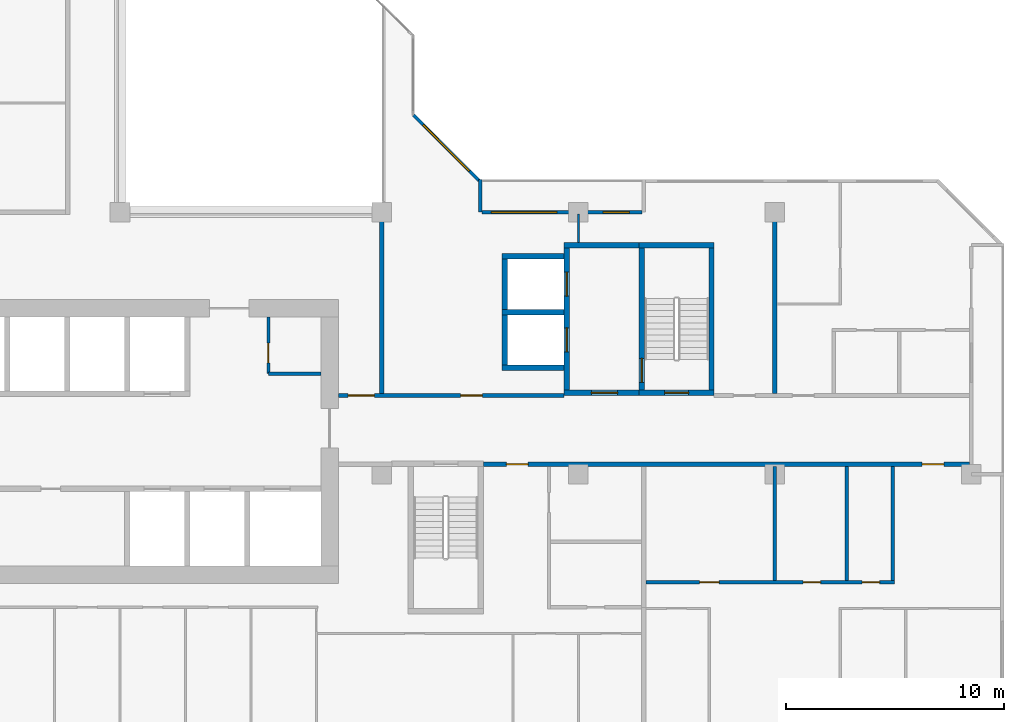
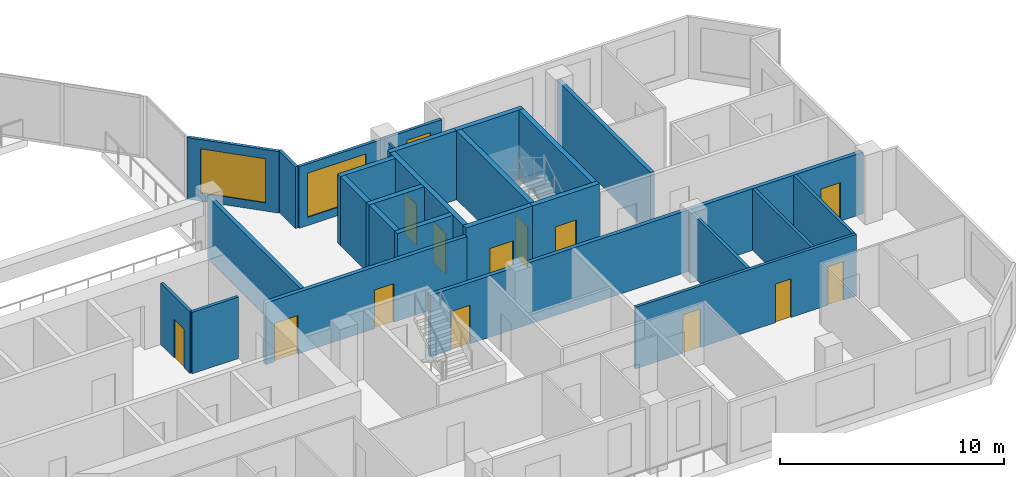
# One storey, part 7 of 14: 26 walls, 13 doors, 3 windows, 16 openings.
"""IFC4 building model written with IfcOpenShell, lengths in metres."""

from ifc_helpers import new_model, si_unit, direction, frame, frame_2d, origin, place, context, subcontext, project, spatial, rectangle, extrude, material, layer, layer_set, type_object, element, fill, save


model = new_model("IFC4")

# Units and contexts
model_context = context("Model", 3, precision=1e-05, world=origin(), true_north=direction((0.0, 1.0)))
body_context = subcontext(model_context, "Body", "Model", "MODEL_VIEW")
ifc_project = project(units=[si_unit("LENGTHUNIT", "METRE"), si_unit("AREAUNIT", "SQUARE_METRE"), si_unit("VOLUMEUNIT", "CUBIC_METRE"), si_unit("PLANEANGLEUNIT", "RADIAN"), si_unit("MASSUNIT", "GRAM", prefix="KILO")], contexts=[model_context])

# Site, building, storey
site_placement = place(None, origin())
site = spatial("IfcSite", under=ifc_project, at=site_placement, CompositionType="ELEMENT")
building_placement = place(site_placement, origin())
building = spatial("IfcBuilding", under=site, at=building_placement, Name="Chenar Terraces", CompositionType="ELEMENT")
storey_placement = place(building_placement, frame((0.0, 0.0, 183.64990234375)))
storey = spatial("IfcBuildingStorey", under=building, at=storey_placement, Name="L42", CompositionType="ELEMENT", Elevation=183.64990234375)

# Wall, opening, door
ifc_material_1 = material(Name="Gypsum board on steel studs", Category="steel")
ifc_layer_1 = layer(ifc_material_1, 0.14990234375)
ifc_layer_set_1 = layer_set([ifc_layer_1], Name="Gypsum board on steel studs")
wall_type_1 = type_object("IfcWallType", Name="Core partition 150 gypsum board", PredefinedType="PARTITIONING", material=ifc_layer_set_1)
wall_1_placement = place(storey_placement, frame((30.800048828125, 16.60009765625, 0.0), z_axis=(0.0, 0.0, 1.0), x_axis=(0.0, 1.0, 0.0)))
wall_1 = element("IfcWall", 1, at=wall_1_placement, inside=storey, type_object=wall_type_1, Name="Core partition CP1 vestibule room west wall", PredefinedType="PARTITIONING", context=body_context, shape_type="SweptSolid", body=[
    extrude(rectangle(XDim=2.599853515625, YDim=0.14990234375, at=frame_2d((1.2998046875, 0.0))), origin(), (0.0, 0.0, 1.0), 3.35009765625),
])
opening_1_placement = place(wall_1_placement, frame((0.5, 0.0, 0.0)))
opening_1 = element("IfcOpeningElement", 2, at=opening_1_placement, cuts=wall_1, Name="Opening DL42-C14", PredefinedType="OPENING", context=body_context, shape_type="SweptSolid", body=[
    extrude(rectangle(XDim=0.89990234375, YDim=2.10009765625, at=frame_2d((0.449951171875, 1.050048828125))), frame((0.0, 0.0849609375, 0.0), z_axis=(0.0, -1.0, 0.0), x_axis=(1.0, 0.0, 0.0)), (0.0, 0.0, 1.0), 0.169921875),
])
ifc_material_2 = material(Name="Steel-framed fire-resisting door leaf", Category="steel")
door_type_1 = type_object("IfcDoorType", Name="Riser fire door FD60 900 x 2100", OperationType="SINGLE_SWING_LEFT", PredefinedType="DOOR", material=ifc_material_2)
door_1_placement = place(opening_1_placement, frame((0.89990234375, 0.0, 0.0), z_axis=(0.0, 0.0, 1.0), x_axis=(-1.0, 0.0, 0.0)))
door_1 = element("IfcDoor", 3, at=door_1_placement, inside=storey, type_object=door_type_1, Name="Core room door DL42-C14", OperationType="SINGLE_SWING_RIGHT", OverallHeight=2.10009765625, OverallWidth=0.89990234375, PredefinedType="DOOR", context=body_context, shape_type="SweptSolid", body=[
    extrude(rectangle(XDim=0.89990234375, YDim=2.10009765625, at=frame_2d((0.449951171875, 1.050048828125))), frame((0.0, 0.02490234375, 0.0), z_axis=(0.0, -1.0, 0.0), x_axis=(1.0, 0.0, 0.0)), (0.0, 0.0, 1.0), 0.050048828125),
])
fill(opening_1, door_1)

# Wall
wall_2_placement = place(storey_placement, frame((30.800048828125, 16.60009765625, 0.0), z_axis=(0.0, 0.0, 1.0), x_axis=(1.0, 0.0, 0.0)))
element("IfcWall", 4, at=wall_2_placement, inside=storey, type_object=wall_type_1, Name="Core partition CP1 vestibule room south wall", PredefinedType="PARTITIONING", context=body_context, shape_type="SweptSolid", body=[
    extrude(rectangle(XDim=2.39990234375, YDim=0.14990234375, at=frame_2d((1.199951171875, 0.0))), origin(), (0.0, 0.0, 1.0), 3.35009765625),
])

# Wall, opening, door
ifc_material_3 = material(Name="Concrete C60/75", Category="concrete")
ifc_layer_2 = layer(ifc_material_3, 0.25)
ifc_layer_set_2 = layer_set([ifc_layer_2], Name="Concrete C60/75")
wall_type_2 = type_object("IfcWallType", Name="Core wall 250 Concrete C60/75", PredefinedType="SHEAR", material=ifc_layer_set_2)
wall_3_placement = place(storey_placement, frame((47.77490234375, 15.72509765625, 0.0), z_axis=(0.0, 0.0, 1.0), x_axis=(1.0, 0.0, 0.0)))
wall_3 = element("IfcWall", 5, at=wall_3_placement, inside=storey, type_object=wall_type_2, Name="Core wall ST3_S L42", PredefinedType="SHEAR", context=body_context, shape_type="SweptSolid", body=[
    extrude(rectangle(XDim=3.4501953125, YDim=0.25, at=frame_2d((1.72509765625, 0.0))), origin(), (0.0, 0.0, 1.0), 3.75),
])
opening_2_placement = place(wall_3_placement, frame((1.175048828125, 0.0, 0.0)))
opening_2 = element("IfcOpeningElement", 6, at=opening_2_placement, cuts=wall_3, Name="Opening DL42-C8", PredefinedType="OPENING", context=body_context, shape_type="SweptSolid", body=[
    extrude(rectangle(XDim=1.10009765625, YDim=2.199951171875, at=frame_2d((0.550048828125, 1.10009765625))), frame((0.0, 0.135009765625, 0.0), z_axis=(0.0, -1.0, 0.0), x_axis=(1.0, 0.0, 0.0)), (0.0, 0.0, 1.0), 0.27001953125),
])
ifc_material_4 = material(Name="Steel-framed fire-resisting door leaf", Category="steel")
door_type_2 = type_object("IfcDoorType", Name="Stair fire door FD60 1100 x 2200", OperationType="SINGLE_SWING_LEFT", PredefinedType="DOOR", material=ifc_material_4)
door_2_placement = place(opening_2_placement, frame((1.10009765625, 0.0, 0.0), z_axis=(0.0, 0.0, 1.0), x_axis=(-1.0, 0.0, 0.0)))
door_2 = element("IfcDoor", 7, at=door_2_placement, inside=storey, type_object=door_type_2, Name="Stair door DL42-C8", OperationType="SINGLE_SWING_LEFT", OverallHeight=2.199951171875, OverallWidth=1.10009765625, PredefinedType="DOOR", context=body_context, shape_type="SweptSolid", body=[
    extrude(rectangle(XDim=1.10009765625, YDim=2.199951171875, at=frame_2d((0.550048828125, 1.10009765625))), frame((0.0, 0.02490234375, 0.0), z_axis=(0.0, -1.0, 0.0), x_axis=(1.0, 0.0, 0.0)), (0.0, 0.0, 1.0), 0.050048828125),
])
fill(opening_2, door_2)

# Wall
wall_4_placement = place(storey_placement, frame((47.77490234375, 22.47509765625, 0.0), z_axis=(0.0, 0.0, 1.0), x_axis=(1.0, 0.0, 0.0)))
element("IfcWall", 8, at=wall_4_placement, inside=storey, type_object=wall_type_2, Name="Core wall ST3_N L42", PredefinedType="SHEAR", context=body_context, shape_type="SweptSolid", body=[
    extrude(rectangle(XDim=3.4501953125, YDim=0.25, at=frame_2d((1.72509765625, 0.0))), origin(), (0.0, 0.0, 1.0), 3.75),
])

# Wall, opening, door
wall_5_placement = place(storey_placement, frame((47.89990234375, 15.85009765625, 0.0), z_axis=(0.0, 0.0, 1.0), x_axis=(0.0, 1.0, 0.0)))
wall_5 = element("IfcWall", 9, at=wall_5_placement, inside=storey, type_object=wall_type_2, Name="Core wall ST3_W L42", PredefinedType="SHEAR", context=body_context, shape_type="SweptSolid", body=[
    extrude(rectangle(XDim=6.5, YDim=0.25, at=frame_2d((3.25, 0.0))), origin(), (0.0, 0.0, 1.0), 3.75),
])
opening_3_placement = place(wall_5_placement, frame((0.35009765625, 0.0, 0.0)))
opening_3 = element("IfcOpeningElement", 10, at=opening_3_placement, cuts=wall_5, Name="Opening DL42-C11", PredefinedType="OPENING", context=body_context, shape_type="SweptSolid", body=[
    extrude(rectangle(XDim=1.10009765625, YDim=2.199951171875, at=frame_2d((0.550048828125, 1.10009765625))), frame((0.0, 0.135009765625, 0.0), z_axis=(0.0, -1.0, 0.0), x_axis=(1.0, 0.0, 0.0)), (0.0, 0.0, 1.0), 0.27001953125),
])
door_3_placement = place(opening_3_placement, frame((1.10009765625, 0.0, 0.0), z_axis=(0.0, 0.0, 1.0), x_axis=(-1.0, 0.0, 0.0)))
door_3 = element("IfcDoor", 11, at=door_3_placement, inside=storey, type_object=door_type_2, Name="Stair door DL42-C11", OperationType="SINGLE_SWING_RIGHT", OverallHeight=2.199951171875, OverallWidth=1.10009765625, PredefinedType="DOOR", context=body_context, shape_type="SweptSolid", body=[
    extrude(rectangle(XDim=1.10009765625, YDim=2.199951171875, at=frame_2d((0.550048828125, 1.10009765625))), frame((0.0, 0.02490234375, 0.0), z_axis=(0.0, -1.0, 0.0), x_axis=(1.0, 0.0, 0.0)), (0.0, 0.0, 1.0), 0.050048828125),
])
fill(opening_3, door_3)

# Wall
wall_6_placement = place(storey_placement, frame((51.10009765625, 15.85009765625, 0.0), z_axis=(0.0, 0.0, 1.0), x_axis=(0.0, 1.0, 0.0)))
element("IfcWall", 12, at=wall_6_placement, inside=storey, type_object=wall_type_2, Name="Core wall ST3_E L42", PredefinedType="SHEAR", context=body_context, shape_type="SweptSolid", body=[
    extrude(rectangle(XDim=6.5, YDim=0.25, at=frame_2d((3.25, 0.0))), origin(), (0.0, 0.0, 1.0), 3.75),
])

# Wall, opening, door
wall_7_placement = place(storey_placement, frame((44.35009765625, 15.72509765625, 0.0), z_axis=(0.0, 0.0, 1.0), x_axis=(1.0, 0.0, 0.0)))
wall_7 = element("IfcWall", 13, at=wall_7_placement, inside=storey, type_object=wall_type_2, Name="Core wall F3_LS L42", PredefinedType="SHEAR", context=body_context, shape_type="SweptSolid", body=[
    extrude(rectangle(XDim=3.4248046875, YDim=0.25, at=frame_2d((1.71240234375, 0.0))), origin(), (0.0, 0.0, 1.0), 3.75),
])
opening_4_placement = place(wall_7_placement, frame((1.25, 0.0, 0.0)))
opening_4 = element("IfcOpeningElement", 14, at=opening_4_placement, cuts=wall_7, Name="Opening DL42-C10", PredefinedType="OPENING", context=body_context, shape_type="SweptSolid", body=[
    extrude(rectangle(XDim=1.199951171875, YDim=2.199951171875, at=frame_2d((0.60009765625, 1.10009765625))), frame((0.0, 0.135009765625, 0.0), z_axis=(0.0, -1.0, 0.0), x_axis=(1.0, 0.0, 0.0)), (0.0, 0.0, 1.0), 0.27001953125),
])
ifc_material_5 = material(Name="Steel-framed fire-resisting door leaf", Category="steel")
door_type_3 = type_object("IfcDoorType", Name="Lobby fire door FD60 1200 x 2200", OperationType="SINGLE_SWING_LEFT", PredefinedType="DOOR", material=ifc_material_5)
door_4_placement = place(opening_4_placement, origin())
door_4 = element("IfcDoor", 15, at=door_4_placement, inside=storey, type_object=door_type_3, Name="Core door DL42-C10", OperationType="SINGLE_SWING_RIGHT", OverallHeight=2.199951171875, OverallWidth=1.199951171875, PredefinedType="DOOR", context=body_context, shape_type="SweptSolid", body=[
    extrude(rectangle(XDim=1.199951171875, YDim=2.199951171875, at=frame_2d((0.60009765625, 1.10009765625))), frame((0.0, 0.02490234375, 0.0), z_axis=(0.0, -1.0, 0.0), x_axis=(1.0, 0.0, 0.0)), (0.0, 0.0, 1.0), 0.050048828125),
])
fill(opening_4, door_4)

# Wall
wall_8_placement = place(storey_placement, frame((44.35009765625, 22.47509765625, 0.0), z_axis=(0.0, 0.0, 1.0), x_axis=(1.0, 0.0, 0.0)))
element("IfcWall", 16, at=wall_8_placement, inside=storey, type_object=wall_type_2, Name="Core wall F3_LN L42", PredefinedType="SHEAR", context=body_context, shape_type="SweptSolid", body=[
    extrude(rectangle(XDim=3.4248046875, YDim=0.25, at=frame_2d((1.71240234375, 0.0))), origin(), (0.0, 0.0, 1.0), 3.75),
])

# Wall, openings, doors
wall_9_placement = place(storey_placement, frame((44.47509765625, 15.85009765625, 0.0), z_axis=(0.0, 0.0, 1.0), x_axis=(0.0, 1.0, 0.0)))
wall_9 = element("IfcWall", 17, at=wall_9_placement, inside=storey, type_object=wall_type_2, Name="Core wall F3_LW L42", PredefinedType="SHEAR", context=body_context, shape_type="SweptSolid", body=[
    extrude(rectangle(XDim=6.5, YDim=0.25, at=frame_2d((3.25, 0.0))), origin(), (0.0, 0.0, 1.0), 3.75),
])
opening_5_placement = place(wall_9_placement, frame((1.75, 0.0, 0.0)))
opening_5 = element("IfcOpeningElement", 18, at=opening_5_placement, cuts=wall_9, Name="Opening DL42-LD8", PredefinedType="OPENING", context=body_context, shape_type="SweptSolid", body=[
    extrude(rectangle(XDim=1.10009765625, YDim=2.199951171875, at=frame_2d((0.550048828125, 1.10009765625))), frame((0.0, 0.135009765625, 0.0), z_axis=(0.0, -1.0, 0.0), x_axis=(1.0, 0.0, 0.0)), (0.0, 0.0, 1.0), 0.27001953125),
])
opening_6_placement = place(wall_9_placement, frame((4.300048828125, 0.0, 0.0)))
opening_6 = element("IfcOpeningElement", 19, at=opening_6_placement, cuts=wall_9, Name="Opening DL42-LD9", PredefinedType="OPENING", context=body_context, shape_type="SweptSolid", body=[
    extrude(rectangle(XDim=1.10009765625, YDim=2.199951171875, at=frame_2d((0.550048828125, 1.10009765625))), frame((0.0, 0.135009765625, 0.0), z_axis=(0.0, -1.0, 0.0), x_axis=(1.0, 0.0, 0.0)), (0.0, 0.0, 1.0), 0.27001953125),
])
ifc_material_6 = material(Name="Stainless steel", Category="steel")
door_type_4 = type_object("IfcDoorType", Name="Lift landing door 1100 x 2200 sliding", OperationType="DOUBLE_DOOR_SLIDING", PredefinedType="DOOR", material=ifc_material_6)
door_5_placement = place(opening_5_placement, origin())
door_5 = element("IfcDoor", 20, at=door_5_placement, inside=storey, type_object=door_type_4, Name="Landing door F3", OperationType="DOUBLE_DOOR_SLIDING", OverallHeight=2.199951171875, OverallWidth=1.10009765625, PredefinedType="DOOR", context=body_context, shape_type="SweptSolid", body=[
    extrude(rectangle(XDim=1.10009765625, YDim=2.199951171875, at=frame_2d((0.550048828125, 1.10009765625))), frame((0.0, 0.02490234375, 0.0), z_axis=(0.0, -1.0, 0.0), x_axis=(1.0, 0.0, 0.0)), (0.0, 0.0, 1.0), 0.050048828125),
])
fill(opening_5, door_5)
door_6_placement = place(opening_6_placement, origin())
door_6 = element("IfcDoor", 21, at=door_6_placement, inside=storey, type_object=door_type_4, Name="Landing door F4", OperationType="DOUBLE_DOOR_SLIDING", OverallHeight=2.199951171875, OverallWidth=1.10009765625, PredefinedType="DOOR", context=body_context, shape_type="SweptSolid", body=[
    extrude(rectangle(XDim=1.10009765625, YDim=2.199951171875, at=frame_2d((0.550048828125, 1.10009765625))), frame((0.0, 0.02490234375, 0.0), z_axis=(0.0, -1.0, 0.0), x_axis=(1.0, 0.0, 0.0)), (0.0, 0.0, 1.0), 0.050048828125),
])
fill(opening_6, door_6)

# Walls
for number, where, z_axis, x_axis, name in (
    (22, (41.5, 16.875, 0.0), (0.0, 0.0, 1.0), (1.0, 0.0, 0.0), "Core wall F3_SS L42"),
    (23, (41.5, 19.425048828125, 0.0), (0.0, 0.0, 1.0), (1.0, 0.0, 0.0), "Core wall F3_SM L42"),
    (24, (41.5, 21.97509765625, 0.0), (0.0, 0.0, 1.0), (1.0, 0.0, 0.0), "Core wall F4_SN L42"),
):
    element("IfcWall", number, at=place(storey_placement, frame(where, z_axis=z_axis, x_axis=x_axis)), inside=storey, type_object=wall_type_2, Name=name, PredefinedType="SHEAR", context=body_context, shape_type="SweptSolid", body=[
        extrude(rectangle(XDim=2.85009765625, YDim=0.25, at=frame_2d((1.425048828125, 0.0))), origin(), (0.0, 0.0, 1.0), 3.75),
    ])
for number, where, z_axis, x_axis, name in (
    (25, (41.625, 17.0, 0.0), (0.0, 0.0, 1.0), (0.0, 1.0, 0.0), "Core wall F3_SW L42"),
    (26, (41.625, 19.550048828125, 0.0), (0.0, 0.0, 1.0), (0.0, 1.0, 0.0), "Core wall F4_SW L42"),
):
    element("IfcWall", number, at=place(storey_placement, frame(where, z_axis=z_axis, x_axis=x_axis)), inside=storey, type_object=wall_type_2, Name=name, PredefinedType="SHEAR", context=body_context, shape_type="SweptSolid", body=[
        extrude(rectangle(XDim=2.300048828125, YDim=0.25, at=frame_2d((1.14990234375, 0.0))), origin(), (0.0, 0.0, 1.0), 3.75),
    ])

# Wall, openings, doors
ifc_material_7 = material(Name="Gypsum board on steel studs with fire boards", Category="steel")
ifc_layer_3 = layer(ifc_material_7, 0.199951171875)
ifc_layer_set_3 = layer_set([ifc_layer_3], Name="Gypsum board on steel studs with fire boards")
wall_type_3 = type_object("IfcWallType", Name="Corridor wall 200", PredefinedType="PARTITIONING", material=ifc_layer_set_3)
wall_10_placement = place(storey_placement, frame((34.0, 15.60009765625, 0.0), z_axis=(0.0, 0.0, 1.0), x_axis=(1.0, 0.0, 0.0)))
wall_10 = element("IfcWall", 27, at=wall_10_placement, inside=storey, type_object=wall_type_3, Name="Partition L42-060", PredefinedType="PARTITIONING", context=body_context, shape_type="SweptSolid", body=[
    extrude(rectangle(XDim=10.35009765625, YDim=0.199951171875, at=frame_2d((5.175048828125, 0.0))), origin(), (0.0, 0.0, 1.0), 3.35009765625),
])
opening_7_placement = place(wall_10_placement, frame((5.60009765625, 0.0, 0.0)))
opening_7 = element("IfcOpeningElement", 28, at=opening_7_placement, cuts=wall_10, Name="Opening DL42-3", PredefinedType="OPENING", context=body_context, shape_type="SweptSolid", body=[
    extrude(rectangle(XDim=1.0, YDim=2.10009765625, at=frame_2d((0.5, 1.050048828125))), frame((0.0, 0.10986328125, 0.0), z_axis=(0.0, -1.0, 0.0), x_axis=(1.0, 0.0, 0.0)), (0.0, 0.0, 1.0), 0.219970703125),
])
opening_8_placement = place(wall_10_placement, frame((0.449951171875, 0.0, 0.0)))
opening_8 = element("IfcOpeningElement", 29, at=opening_8_placement, cuts=wall_10, Name="Opening DL42-34", PredefinedType="OPENING", context=body_context, shape_type="SweptSolid", body=[
    extrude(rectangle(XDim=1.199951171875, YDim=2.10009765625, at=frame_2d((0.60009765625, 1.050048828125))), frame((0.0, 0.10986328125, 0.0), z_axis=(0.0, -1.0, 0.0), x_axis=(1.0, 0.0, 0.0)), (0.0, 0.0, 1.0), 0.219970703125),
])
ifc_material_8 = material(Name="Steel-framed fire-resisting door leaf", Category="steel")
door_type_5 = type_object("IfcDoorType", Name="Fire door FD60 1000 x 2100", OperationType="SINGLE_SWING_LEFT", PredefinedType="DOOR", material=ifc_material_8)
door_7_placement = place(opening_7_placement, origin())
door_7 = element("IfcDoor", 30, at=door_7_placement, inside=storey, type_object=door_type_5, Name="Door DL42-3", OperationType="SINGLE_SWING_RIGHT", OverallHeight=2.10009765625, OverallWidth=1.0, PredefinedType="DOOR", context=body_context, shape_type="SweptSolid", body=[
    extrude(rectangle(XDim=1.0, YDim=2.10009765625, at=frame_2d((0.5, 1.050048828125))), frame((0.0, 0.02490234375, 0.0), z_axis=(0.0, -1.0, 0.0), x_axis=(1.0, 0.0, 0.0)), (0.0, 0.0, 1.0), 0.050048828125),
])
fill(opening_7, door_7)
ifc_material_9 = material(Name="Steel-framed fire-resisting door leaf", Category="steel")
door_type_6 = type_object("IfcDoorType", Name="Fire door FD60 1200 x 2100", OperationType="SINGLE_SWING_LEFT", PredefinedType="DOOR", material=ifc_material_9)
door_8_placement = place(opening_8_placement, origin())
door_8 = element("IfcDoor", 31, at=door_8_placement, inside=storey, type_object=door_type_6, Name="Door DL42-34", OperationType="SINGLE_SWING_RIGHT", OverallHeight=2.10009765625, OverallWidth=1.199951171875, PredefinedType="DOOR", context=body_context, shape_type="SweptSolid", body=[
    extrude(rectangle(XDim=1.199951171875, YDim=2.10009765625, at=frame_2d((0.60009765625, 1.050048828125))), frame((0.0, 0.02490234375, 0.0), z_axis=(0.0, -1.0, 0.0), x_axis=(1.0, 0.0, 0.0)), (0.0, 0.0, 1.0), 0.050048828125),
])
fill(opening_8, door_8)

# Wall
wall_11_placement = place(storey_placement, frame((36.0, 15.699951171875, 0.0), z_axis=(0.0, 0.0, 1.0), x_axis=(0.0, 1.0, 0.0)))
element("IfcWall", 32, at=wall_11_placement, inside=storey, type_object=wall_type_3, Name="Partition L42-061", PredefinedType="PARTITIONING", context=body_context, shape_type="SweptSolid", body=[
    extrude(rectangle(XDim=8.300048828125, YDim=0.199951171875, at=frame_2d((4.14990234375, 0.0))), origin(), (0.0, 0.0, 1.0), 3.35009765625),
])

# Wall, openings, doors
wall_12_placement = place(storey_placement, frame((40.64990234375, 12.449951171875, 0.0), z_axis=(0.0, 0.0, 1.0), x_axis=(1.0, 0.0, 0.0)))
wall_12 = element("IfcWall", 33, at=wall_12_placement, inside=storey, type_object=wall_type_3, Name="Partition L42-062", PredefinedType="PARTITIONING", context=body_context, shape_type="SweptSolid", body=[
    extrude(rectangle(XDim=22.276123046875, YDim=0.199951171875, at=frame_2d((11.13818359375, 0.0))), origin(), (0.0, 0.0, 1.0), 3.35009765625),
])
opening_9_placement = place(wall_12_placement, frame((20.10009765625, 0.0, 0.0)))
opening_9 = element("IfcOpeningElement", 34, at=opening_9_placement, cuts=wall_12, Name="Opening DL42-12", PredefinedType="OPENING", context=body_context, shape_type="SweptSolid", body=[
    extrude(rectangle(XDim=1.0, YDim=2.10009765625, at=frame_2d((0.5, 1.050048828125))), frame((0.0, 0.10986328125, 0.0), z_axis=(0.0, -1.0, 0.0), x_axis=(1.0, 0.0, 0.0)), (0.0, 0.0, 1.0), 0.219970703125),
])
opening_10_placement = place(wall_12_placement, frame((1.050048828125, 0.0, 0.0)))
opening_10 = element("IfcOpeningElement", 35, at=opening_10_placement, cuts=wall_12, Name="Opening DL42-49", PredefinedType="OPENING", context=body_context, shape_type="SweptSolid", body=[
    extrude(rectangle(XDim=1.0, YDim=2.10009765625, at=frame_2d((0.5, 1.050048828125))), frame((0.0, 0.10986328125, 0.0), z_axis=(0.0, -1.0, 0.0), x_axis=(1.0, 0.0, 0.0)), (0.0, 0.0, 1.0), 0.219970703125),
])
ifc_material_10 = material(Name="Steel-framed fire-resisting door leaf", Category="steel")
door_type_7 = type_object("IfcDoorType", Name="Fire door FD30S 1000 x 2100", OperationType="SINGLE_SWING_LEFT", PredefinedType="DOOR", material=ifc_material_10)
door_9_placement = place(opening_9_placement, frame((1.0, 0.0, 0.0), z_axis=(0.0, 0.0, 1.0), x_axis=(-1.0, 0.0, 0.0)))
door_9 = element("IfcDoor", 36, at=door_9_placement, inside=storey, type_object=door_type_7, Name="Door DL42-12", OperationType="SINGLE_SWING_LEFT", OverallHeight=2.10009765625, OverallWidth=1.0, PredefinedType="DOOR", context=body_context, shape_type="SweptSolid", body=[
    extrude(rectangle(XDim=1.0, YDim=2.10009765625, at=frame_2d((0.5, 1.050048828125))), frame((0.0, 0.02490234375, 0.0), z_axis=(0.0, -1.0, 0.0), x_axis=(1.0, 0.0, 0.0)), (0.0, 0.0, 1.0), 0.050048828125),
])
fill(opening_9, door_9)
door_10_placement = place(opening_10_placement, origin())
door_10 = element("IfcDoor", 37, at=door_10_placement, inside=storey, type_object=door_type_7, Name="Door DL42-49", OperationType="SINGLE_SWING_LEFT", OverallHeight=2.10009765625, OverallWidth=1.0, PredefinedType="DOOR", context=body_context, shape_type="SweptSolid", body=[
    extrude(rectangle(XDim=1.0, YDim=2.10009765625, at=frame_2d((0.5, 1.050048828125))), frame((0.0, 0.02490234375, 0.0), z_axis=(0.0, -1.0, 0.0), x_axis=(1.0, 0.0, 0.0)), (0.0, 0.0, 1.0), 0.050048828125),
])
fill(opening_10, door_10)

# Wall, openings, windows
ifc_material_11 = material(Name="Aluminium framed glazing", Category="aluminium")
ifc_layer_4 = layer(ifc_material_11, 0.14990234375)
ifc_layer_set_4 = layer_set([ifc_layer_4], Name="Aluminium framed glazing")
wall_type_4 = type_object("IfcWallType", Name="Glazed loggia back wall 150", PredefinedType="SOLIDWALL", material=ifc_layer_set_4)
wall_13_placement = place(storey_placement, frame((47.925048828125, 24.0, 0.0), z_axis=(0.0, 0.0, 1.0), x_axis=(-1.0, 0.0, 0.0)))
wall_13 = element("IfcWall", 38, at=wall_13_placement, inside=storey, type_object=wall_type_4, Name="Glazed loggia back wall", PredefinedType="SOLIDWALL", context=body_context, shape_type="SweptSolid", body=[
    extrude(rectangle(XDim=7.35009765625, YDim=0.14990234375, at=frame_2d((3.675048828125, 0.0))), origin(), (0.0, 0.0, 1.0), 3.35009765625),
])
opening_11_placement = place(wall_13_placement, frame((0.58740234375, 0.0, 0.449951171875)))
opening_11 = element("IfcOpeningElement", 39, at=opening_11_placement, cuts=wall_13, Name="Opening W120x240", PredefinedType="OPENING", context=body_context, shape_type="SweptSolid", body=[
    extrude(rectangle(XDim=1.199951171875, YDim=2.39990234375, at=frame_2d((0.60009765625, 1.199951171875))), frame((0.0, 0.0849609375, 0.0), z_axis=(0.0, -1.0, 0.0), x_axis=(1.0, 0.0, 0.0)), (0.0, 0.0, 1.0), 0.169921875),
])
opening_12_placement = place(wall_13_placement, frame((3.91259765625, 0.0, 0.449951171875)))
opening_12 = element("IfcOpeningElement", 40, at=opening_12_placement, cuts=wall_13, Name="Opening W300x240", PredefinedType="OPENING", context=body_context, shape_type="SweptSolid", body=[
    extrude(rectangle(XDim=3.0, YDim=2.39990234375, at=frame_2d((1.5, 1.199951171875))), frame((0.0, 0.0849609375, 0.0), z_axis=(0.0, -1.0, 0.0), x_axis=(1.0, 0.0, 0.0)), (0.0, 0.0, 1.0), 0.169921875),
])
ifc_material_12 = material(Name="Low emissivity double glazing, aluminium frame", Category="aluminium")
window_type_1 = type_object("IfcWindowType", Name="Fixed light 1200 x 2400", PartitioningType="SINGLE_PANEL", PredefinedType="WINDOW", material=ifc_material_12)
window_1_placement = place(opening_11_placement, origin())
window_1 = element("IfcWindow", 41, at=window_1_placement, inside=storey, type_object=window_type_1, Name="Window", OverallHeight=2.39990234375, OverallWidth=1.199951171875, PartitioningType="SINGLE_PANEL", PredefinedType="WINDOW", context=body_context, shape_type="SweptSolid", body=[
    extrude(rectangle(XDim=1.199951171875, YDim=2.39990234375, at=frame_2d((0.60009765625, 1.199951171875))), frame((0.0, 0.030029296875, 0.0), z_axis=(0.0, -1.0, 0.0), x_axis=(1.0, 0.0, 0.0)), (0.0, 0.0, 1.0), 0.06005859375),
])
fill(opening_11, window_1)
ifc_material_13 = material(Name="Low emissivity double glazing, aluminium frame", Category="aluminium")
window_type_2 = type_object("IfcWindowType", Name="Fixed light 3000 x 2400", PartitioningType="SINGLE_PANEL", PredefinedType="WINDOW", material=ifc_material_13)
window_2_placement = place(opening_12_placement, origin())
window_2 = element("IfcWindow", 42, at=window_2_placement, inside=storey, type_object=window_type_2, Name="Window", OverallHeight=2.39990234375, OverallWidth=3.0, PartitioningType="SINGLE_PANEL", PredefinedType="WINDOW", context=body_context, shape_type="SweptSolid", body=[
    extrude(rectangle(XDim=3.0, YDim=2.39990234375, at=frame_2d((1.5, 1.199951171875))), frame((0.0, 0.030029296875, 0.0), z_axis=(0.0, -1.0, 0.0), x_axis=(1.0, 0.0, 0.0)), (0.0, 0.0, 1.0), 0.06005859375),
])
fill(opening_12, window_2)

# Walls
ifc_material_14 = material(Name="Gypsum board on steel studs", Category="steel")
ifc_layer_5 = layer(ifc_material_14, 0.10009765625)
ifc_layer_set_5 = layer_set([ifc_layer_5], Name="Gypsum board on steel studs")
wall_type_5 = type_object("IfcWallType", Name="Gypsum partition 100", PredefinedType="PARTITIONING", material=ifc_layer_set_5)
wall_14_placement = place(storey_placement, frame((45.0, 22.60009765625, 0.0), z_axis=(0.0, 0.0, 1.0), x_axis=(0.0, 1.0, 0.0)))
element("IfcWall", 43, at=wall_14_placement, inside=storey, type_object=wall_type_5, Name="Partition L42-068", PredefinedType="PARTITIONING", context=body_context, shape_type="SweptSolid", body=[
    extrude(rectangle(XDim=1.325927734375, YDim=0.10009765625, at=frame_2d((0.6630859375, 0.0))), origin(), (0.0, 0.0, 1.0), 3.35009765625),
])
ifc_material_15 = material(Name="Terracotta cladding on insulated backing", Category="masonry")
ifc_layer_6 = layer(ifc_material_15, 0.14990234375)
ifc_layer_set_6 = layer_set([ifc_layer_6], Name="Terracotta cladding on insulated backing")
wall_type_6 = type_object("IfcWallType", Name="Loggia return wall 150", PredefinedType="SOLIDWALL", material=ifc_layer_set_6)
wall_15_placement = place(storey_placement, frame((40.5, 25.5, 0.0), z_axis=(0.0, 0.0, 1.0), x_axis=(0.0, -1.0, 0.0)))
element("IfcWall", 44, at=wall_15_placement, inside=storey, type_object=wall_type_6, Name="Loggia return wall", PredefinedType="SOLIDWALL", context=body_context, shape_type="SweptSolid", body=[
    extrude(rectangle(XDim=1.5, YDim=0.14990234375, at=frame_2d((0.75, 0.0))), origin(), (0.0, 0.0, 1.0), 3.35009765625),
])

# Wall, opening, window
ifc_material_16 = material(Name="Terracotta cladding on insulated backing", Category="masonry")
ifc_layer_7 = layer(ifc_material_16, 0.14990234375)
ifc_layer_set_7 = layer_set([ifc_layer_7], Name="Terracotta cladding on insulated backing")
wall_type_7 = type_object("IfcWallType", Name="Terracotta rainscreen wall 150", PredefinedType="SOLIDWALL", material=ifc_layer_set_7)
wall_16_placement = place(storey_placement, frame((40.447021484375, 25.447021484375, 0.0), z_axis=(0.0, 0.0, 1.0), x_axis=(-0.707106781187, 0.707106781187, 0.0)))
wall_16 = element("IfcWall", 45, at=wall_16_placement, inside=storey, type_object=wall_type_7, Name="Terracotta rainscreen wall", PredefinedType="SOLIDWALL", context=body_context, shape_type="SweptSolid", body=[
    extrude(rectangle(XDim=4.24267578125, YDim=0.14990234375, at=frame_2d((2.121337890625, 0.0))), origin(), (0.0, 0.0, 1.0), 3.35009765625),
])
opening_13_placement = place(wall_16_placement, frame((0.621337890625, 0.0, 0.449951171875)))
opening_13 = element("IfcOpeningElement", 46, at=opening_13_placement, cuts=wall_16, Name="Opening W300x240", PredefinedType="OPENING", context=body_context, shape_type="SweptSolid", body=[
    extrude(rectangle(XDim=3.0, YDim=2.39990234375, at=frame_2d((1.5, 1.199951171875))), frame((0.0, 0.0849609375, 0.0), z_axis=(0.0, -1.0, 0.0), x_axis=(1.0, 0.0, 0.0)), (0.0, 0.0, 1.0), 0.169921875),
])
window_3_placement = place(opening_13_placement, origin())
window_3 = element("IfcWindow", 47, at=window_3_placement, inside=storey, type_object=window_type_2, Name="Window", OverallHeight=2.39990234375, OverallWidth=3.0, PartitioningType="SINGLE_PANEL", PredefinedType="WINDOW", context=body_context, shape_type="SweptSolid", body=[
    extrude(rectangle(XDim=3.0, YDim=2.39990234375, at=frame_2d((1.5, 1.199951171875))), frame((0.0, 0.030029296875, 0.0), z_axis=(0.0, -1.0, 0.0), x_axis=(1.0, 0.0, 0.0)), (0.0, 0.0, 1.0), 0.06005859375),
])
fill(opening_13, window_3)

# Wall
ifc_material_17 = material(Name="Twin gypsum board on steel studs with mineral wool", Category="steel")
ifc_layer_8 = layer(ifc_material_17, 0.199951171875)
ifc_layer_set_8 = layer_set([ifc_layer_8], Name="Twin gypsum board on steel studs with mineral wool")
wall_type_8 = type_object("IfcWallType", Name="Unit demising wall 200", PredefinedType="PARTITIONING", material=ifc_layer_set_8)
wall_17_placement = place(storey_placement, frame((54.0, 15.699951171875, 0.0), z_axis=(0.0, 0.0, 1.0), x_axis=(0.0, 1.0, 0.0)))
element("IfcWall", 48, at=wall_17_placement, inside=storey, type_object=wall_type_8, Name="Partition L42-076", PredefinedType="PARTITIONING", context=body_context, shape_type="SweptSolid", body=[
    extrude(rectangle(XDim=8.300048828125, YDim=0.199951171875, at=frame_2d((4.14990234375, 0.0))), origin(), (0.0, 0.0, 1.0), 3.35009765625),
])

# Wall, openings, doors
ifc_material_18 = material(Name="Moisture-resistant gypsum board on steel studs", Category="steel")
ifc_layer_9 = layer(ifc_material_18, 0.14990234375)
ifc_layer_set_9 = layer_set([ifc_layer_9], Name="Moisture-resistant gypsum board on steel studs")
wall_type_9 = type_object("IfcWallType", Name="Wet-room partition 150", PredefinedType="PARTITIONING", material=ifc_layer_set_9)
wall_18_placement = place(storey_placement, frame((48.10009765625, 7.050048828125, 0.0), z_axis=(0.0, 0.0, 1.0), x_axis=(1.0, 0.0, 0.0)))
wall_18 = element("IfcWall", 49, at=wall_18_placement, inside=storey, type_object=wall_type_9, Name="Partition L42-072", PredefinedType="PARTITIONING", context=body_context, shape_type="SweptSolid", body=[
    extrude(rectangle(XDim=11.375, YDim=0.14990234375, at=frame_2d((5.6875, 0.0))), origin(), (0.0, 0.0, 1.0), 3.35009765625),
])
opening_14_placement = place(wall_18_placement, frame((7.199951171875, 0.0, 0.0)))
opening_14 = element("IfcOpeningElement", 50, at=opening_14_placement, cuts=wall_18, Name="Opening DL42-8", PredefinedType="OPENING", context=body_context, shape_type="SweptSolid", body=[
    extrude(rectangle(XDim=0.800048828125, YDim=2.10009765625, at=frame_2d((0.39990234375, 1.050048828125))), frame((0.0, 0.0849609375, 0.0), z_axis=(0.0, -1.0, 0.0), x_axis=(1.0, 0.0, 0.0)), (0.0, 0.0, 1.0), 0.169921875),
])
opening_15_placement = place(wall_18_placement, frame((2.449951171875, 0.0, 0.0)))
opening_15 = element("IfcOpeningElement", 51, at=opening_15_placement, cuts=wall_18, Name="Opening DL42-11", PredefinedType="OPENING", context=body_context, shape_type="SweptSolid", body=[
    extrude(rectangle(XDim=0.89990234375, YDim=2.10009765625, at=frame_2d((0.449951171875, 1.050048828125))), frame((0.0, 0.0849609375, 0.0), z_axis=(0.0, -1.0, 0.0), x_axis=(1.0, 0.0, 0.0)), (0.0, 0.0, 1.0), 0.169921875),
])
opening_16_placement = place(wall_18_placement, frame((9.89990234375, 0.0, 0.0)))
opening_16 = element("IfcOpeningElement", 52, at=opening_16_placement, cuts=wall_18, Name="Opening DL42-14", PredefinedType="OPENING", context=body_context, shape_type="SweptSolid", body=[
    extrude(rectangle(XDim=0.800048828125, YDim=2.10009765625, at=frame_2d((0.39990234375, 1.050048828125))), frame((0.0, 0.0849609375, 0.0), z_axis=(0.0, -1.0, 0.0), x_axis=(1.0, 0.0, 0.0)), (0.0, 0.0, 1.0), 0.169921875),
])
ifc_material_19 = material(Name="Veneered timber door leaf", Category="wood")
door_type_8 = type_object("IfcDoorType", Name="Door 800 x 2100", OperationType="SINGLE_SWING_LEFT", PredefinedType="DOOR", material=ifc_material_19)
door_11_placement = place(opening_14_placement, origin())
door_11 = element("IfcDoor", 53, at=door_11_placement, inside=storey, type_object=door_type_8, Name="Door DL42-8", OperationType="SINGLE_SWING_RIGHT", OverallHeight=2.10009765625, OverallWidth=0.800048828125, PredefinedType="DOOR", context=body_context, shape_type="SweptSolid", body=[
    extrude(rectangle(XDim=0.800048828125, YDim=2.10009765625, at=frame_2d((0.39990234375, 1.050048828125))), frame((0.0, 0.02490234375, 0.0), z_axis=(0.0, -1.0, 0.0), x_axis=(1.0, 0.0, 0.0)), (0.0, 0.0, 1.0), 0.050048828125),
])
fill(opening_14, door_11)
door_12_placement = place(opening_16_placement, origin())
door_12 = element("IfcDoor", 54, at=door_12_placement, inside=storey, type_object=door_type_8, Name="Door DL42-14", OperationType="SINGLE_SWING_RIGHT", OverallHeight=2.10009765625, OverallWidth=0.800048828125, PredefinedType="DOOR", context=body_context, shape_type="SweptSolid", body=[
    extrude(rectangle(XDim=0.800048828125, YDim=2.10009765625, at=frame_2d((0.39990234375, 1.050048828125))), frame((0.0, 0.02490234375, 0.0), z_axis=(0.0, -1.0, 0.0), x_axis=(1.0, 0.0, 0.0)), (0.0, 0.0, 1.0), 0.050048828125),
])
fill(opening_16, door_12)
ifc_material_20 = material(Name="Veneered timber door leaf", Category="wood")
door_type_9 = type_object("IfcDoorType", Name="Door 900 x 2100", OperationType="SINGLE_SWING_LEFT", PredefinedType="DOOR", material=ifc_material_20)
door_13_placement = place(opening_15_placement, origin())
door_13 = element("IfcDoor", 55, at=door_13_placement, inside=storey, type_object=door_type_9, Name="Door DL42-11", OperationType="SINGLE_SWING_RIGHT", OverallHeight=2.10009765625, OverallWidth=0.89990234375, PredefinedType="DOOR", context=body_context, shape_type="SweptSolid", body=[
    extrude(rectangle(XDim=0.89990234375, YDim=2.10009765625, at=frame_2d((0.449951171875, 1.050048828125))), frame((0.0, 0.02490234375, 0.0), z_axis=(0.0, -1.0, 0.0), x_axis=(1.0, 0.0, 0.0)), (0.0, 0.0, 1.0), 0.050048828125),
])
fill(opening_15, door_13)

# Walls
for number, where, z_axis, x_axis, name in (
    (56, (54.0, 7.125, 0.0), (0.0, 0.0, 1.0), (0.0, 1.0, 0.0), "Partition L42-075"),
    (57, (57.300048828125, 7.125, 0.0), (0.0, 0.0, 1.0), (0.0, 1.0, 0.0), "Partition L42-083"),
    (58, (59.39990234375, 7.125, 0.0), (0.0, 0.0, 1.0), (0.0, 1.0, 0.0), "Partition L42-084"),
):
    element("IfcWall", number, at=place(storey_placement, frame(where, z_axis=z_axis, x_axis=x_axis)), inside=storey, type_object=wall_type_9, Name=name, PredefinedType="PARTITIONING", context=body_context, shape_type="SweptSolid", body=[
        extrude(rectangle(XDim=5.22509765625, YDim=0.14990234375, at=frame_2d((2.612548828125, 0.0))), origin(), (0.0, 0.0, 1.0), 3.35009765625),
    ])

save(model, "model.ifc")
